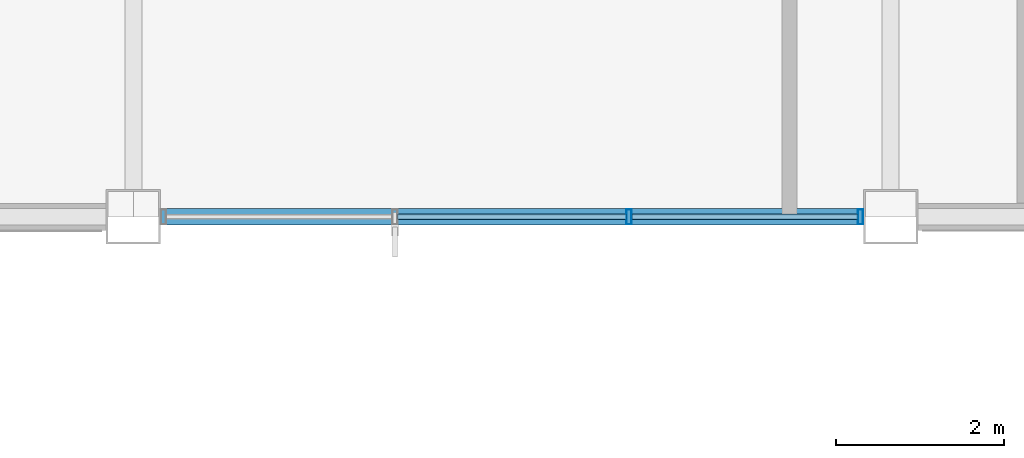
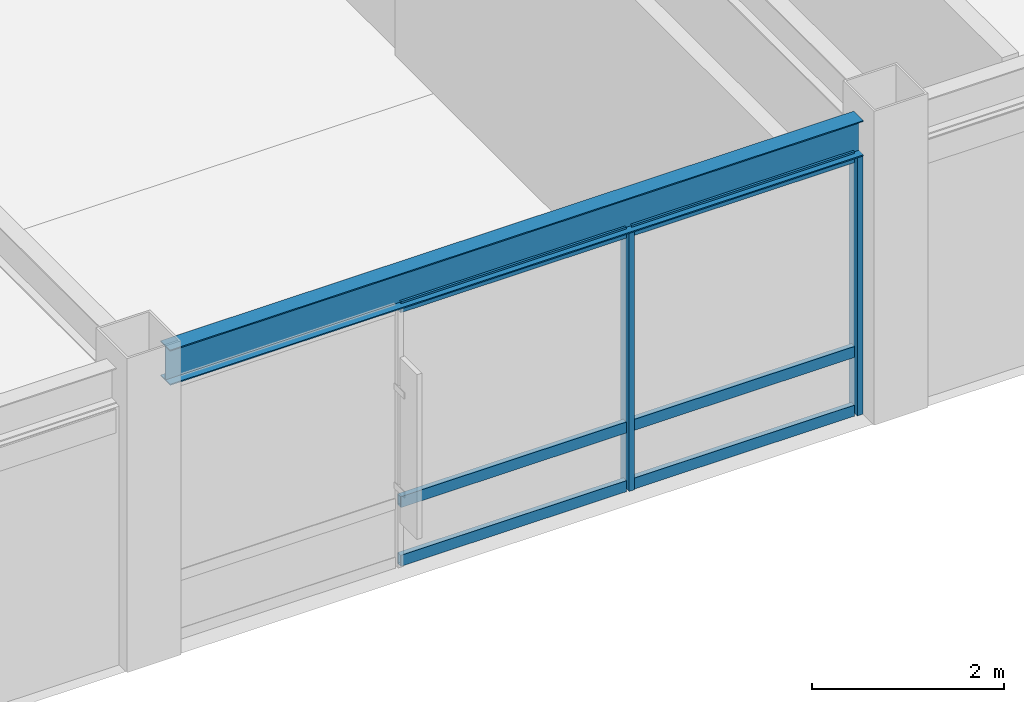
# One storey, part 81 of 113: 8 members, 1 beam, 1 element without a shape of its own.
"""IFC4 building model written with IfcOpenShell, lengths in metres."""

from ifc_helpers import new_model, si_unit, direction, frame, origin, origin_2d, place, context, subcontext, project, spatial, hollow_rectangle, i_section, extrude, material, material_profile, profile_set, type_object, element, aggregate, save


model = new_model("IFC4")

# Units and contexts
model_context = context("Model", 3, precision=1e-05, world=origin(), true_north=direction((0.0, 1.0)))
body_context = subcontext(model_context, "Body", "Model", "MODEL_VIEW")
ifc_project = project(units=[si_unit("LENGTHUNIT", "METRE"), si_unit("AREAUNIT", "SQUARE_METRE"), si_unit("VOLUMEUNIT", "CUBIC_METRE"), si_unit("PLANEANGLEUNIT", "RADIAN"), si_unit("MASSUNIT", "GRAM", prefix="KILO")], contexts=[model_context])

# Site, building, storey
site_placement = place(None, origin())
site = spatial("IfcSite", under=ifc_project, at=site_placement, CompositionType="ELEMENT")
building_placement = place(site_placement, origin())
building = spatial("IfcBuilding", under=site, at=building_placement, Name="Kazanami Central Library", CompositionType="ELEMENT")
storey_placement = place(building_placement, frame((0.0, 0.0, 8.800048828125)))
storey = spatial("IfcBuildingStorey", under=building, at=storey_placement, Name="L03", CompositionType="ELEMENT", Elevation=8.800048828125)

# Beam
ifc_material_1 = material(Name="Steel SN490B (325 MPa)", Category="steel")
ifc_material_profile_1 = material_profile(ifc_material_1, i_section(OverallWidth=0.199951171875, OverallDepth=0.449951171875, WebThickness=0.009033203125, FlangeThickness=0.013916015625, at=origin_2d()), Name="H-450x200x9x14")
ifc_profile_set_1 = profile_set([ifc_material_profile_1], Name="Steel SN490B (325 MPa)")
beam_type = type_object("IfcBeamType", Name="BM-SP-2", PredefinedType="SPANDREL", material=ifc_profile_set_1)
beam_placement = place(storey_placement, frame((135.322998046875, 43.199951171875, 3.52001953125), z_axis=(1.0, 0.0, 0.0), x_axis=(0.0, 1.0, 0.0)))
element("IfcBeam", 1, at=beam_placement, inside=storey, type_object=beam_type, Name="Girder SP-2 L03 G/16-17", PredefinedType="SPANDREL", context=body_context, shape_type="SweptSolid", body=[
    extrude(i_section(OverallWidth=0.199951171875, OverallDepth=0.449951171875, WebThickness=0.009033203125, FlangeThickness=0.013916015625, at=origin_2d()), origin(), (0.0, 0.0, 1.0), 8.35400390625),
])

# Curtain wall, members
ifc_material_2 = material(Name="Acid-Etched Low-E Laminated Glass", Category="glass")
curtain_wall_type = type_object("IfcCurtainWallType", Name="CW-8350x3295-M275", PredefinedType="USERDEFINED", material=ifc_material_2)
curtain_wall_placement = place(storey_placement, origin())
curtain_wall = element("IfcCurtainWall", 2, at=curtain_wall_placement, inside=storey, type_object=curtain_wall_type, Name="Unitised Curtain Wall CW-26 L03 S-G-15", ObjectType="UNITISED CURTAIN WALL", PredefinedType="USERDEFINED")
ifc_material_3 = material(Name="Anodised Aluminium A6063-T5", Category="aluminium")
ifc_material_profile_2 = material_profile(ifc_material_3, hollow_rectangle(XDim=0.06494140625, YDim=0.179931640625, WallThickness=0.00390625, at=origin_2d()), Name="ALU-MULL-65x180x4")
ifc_profile_set_2 = profile_set([ifc_material_profile_2], Name="Anodised Aluminium A6063-T5")
member_type_1 = type_object("IfcMemberType", Name="MEM-CW-M2", PredefinedType="MULLION", material=ifc_profile_set_2)
member_1_placement = place(storey_placement, frame((140.8916015625, 43.199951171875, 0.0), z_axis=(0.0, 0.0, 1.0), x_axis=(1.0, 0.0, 0.0)))
member_1 = element("IfcMember", 3, at=member_1_placement, type_object=member_type_1, Name="CW-26 mullion 3", PredefinedType="MULLION", context=body_context, shape_type="SweptSolid", body=[
    extrude(hollow_rectangle(XDim=0.06494140625, YDim=0.179931640625, WallThickness=0.00390625, at=origin_2d()), origin(), (0.0, 0.0, 1.0), 3.294921875),
])
member_2_placement = place(storey_placement, frame((143.642578125, 43.199951171875, 0.0), z_axis=(0.0, 0.0, 1.0), x_axis=(1.0, 0.0, 0.0)))
member_2 = element("IfcMember", 4, at=member_2_placement, type_object=member_type_1, Name="CW-26 mullion 4", PredefinedType="MULLION", context=body_context, shape_type="SweptSolid", body=[
    extrude(hollow_rectangle(XDim=0.06494140625, YDim=0.179931640625, WallThickness=0.00390625, at=origin_2d()), origin(), (0.0, 0.0, 1.0), 3.294921875),
])
ifc_material_profile_3 = material_profile(ifc_material_3, hollow_rectangle(XDim=0.06494140625, YDim=0.139892578125, WallThickness=0.00390625, at=origin_2d()), Name="ALU-TRAN-65x140x4")
ifc_profile_set_3 = profile_set([ifc_material_profile_3], Name="Anodised Aluminium A6063-T5")
member_type_2 = type_object("IfcMemberType", Name="MEM-CW-T2", PredefinedType="USERDEFINED", material=ifc_profile_set_3)
member_3_placement = place(storey_placement, frame((138.140869140625, 43.199951171875, 0.032470703125), z_axis=(1.0, 0.0, 0.0), x_axis=(0.0, 1.0, 0.0)))
member_3 = element("IfcMember", 5, at=member_3_placement, type_object=member_type_2, Name="CW-26 transom 2.1", ObjectType="TRANSOM", PredefinedType="USERDEFINED", context=body_context, shape_type="SweptSolid", body=[
    extrude(hollow_rectangle(XDim=0.06494140625, YDim=0.139892578125, WallThickness=0.00390625, at=origin_2d()), origin(), (0.0, 0.0, 1.0), 2.71826171875),
])
member_4_placement = place(storey_placement, frame((138.140869140625, 43.199951171875, 0.780029296875), z_axis=(1.0, 0.0, 0.0), x_axis=(0.0, 1.0, 0.0)))
member_4 = element("IfcMember", 6, at=member_4_placement, type_object=member_type_2, Name="CW-26 transom 2.2", ObjectType="TRANSOM", PredefinedType="USERDEFINED", context=body_context, shape_type="SweptSolid", body=[
    extrude(hollow_rectangle(XDim=0.06494140625, YDim=0.139892578125, WallThickness=0.00390625, at=origin_2d()), origin(), (0.0, 0.0, 1.0), 2.71826171875),
])
member_5_placement = place(storey_placement, frame((138.140869140625, 43.199951171875, 3.262451171875), z_axis=(1.0, 0.0, 0.0), x_axis=(0.0, 1.0, 0.0)))
member_5 = element("IfcMember", 7, at=member_5_placement, type_object=member_type_2, Name="CW-26 transom 2.3", ObjectType="TRANSOM", PredefinedType="USERDEFINED", context=body_context, shape_type="SweptSolid", body=[
    extrude(hollow_rectangle(XDim=0.06494140625, YDim=0.139892578125, WallThickness=0.00390625, at=origin_2d()), origin(), (0.0, 0.0, 1.0), 2.71826171875),
])
member_6_placement = place(storey_placement, frame((140.924072265625, 43.199951171875, 0.032470703125), z_axis=(1.0, 0.0, 0.0), x_axis=(0.0, 1.0, 0.0)))
member_6 = element("IfcMember", 8, at=member_6_placement, type_object=member_type_2, Name="CW-26 transom 3.1", ObjectType="TRANSOM", PredefinedType="USERDEFINED", context=body_context, shape_type="SweptSolid", body=[
    extrude(hollow_rectangle(XDim=0.06494140625, YDim=0.139892578125, WallThickness=0.00390625, at=origin_2d()), origin(), (0.0, 0.0, 1.0), 2.68603515625),
])
member_7_placement = place(storey_placement, frame((140.924072265625, 43.199951171875, 0.780029296875), z_axis=(1.0, 0.0, 0.0), x_axis=(0.0, 1.0, 0.0)))
member_7 = element("IfcMember", 9, at=member_7_placement, type_object=member_type_2, Name="CW-26 transom 3.2", ObjectType="TRANSOM", PredefinedType="USERDEFINED", context=body_context, shape_type="SweptSolid", body=[
    extrude(hollow_rectangle(XDim=0.06494140625, YDim=0.139892578125, WallThickness=0.00390625, at=origin_2d()), origin(), (0.0, 0.0, 1.0), 2.68603515625),
])
member_8_placement = place(storey_placement, frame((140.924072265625, 43.199951171875, 3.262451171875), z_axis=(1.0, 0.0, 0.0), x_axis=(0.0, 1.0, 0.0)))
member_8 = element("IfcMember", 10, at=member_8_placement, type_object=member_type_2, Name="CW-26 transom 3.3", ObjectType="TRANSOM", PredefinedType="USERDEFINED", context=body_context, shape_type="SweptSolid", body=[
    extrude(hollow_rectangle(XDim=0.06494140625, YDim=0.139892578125, WallThickness=0.00390625, at=origin_2d()), origin(), (0.0, 0.0, 1.0), 2.68603515625),
])
aggregate(curtain_wall, [member_1, member_2, member_3, member_4, member_5, member_6, member_7, member_8])

save(model, "model.ifc")
